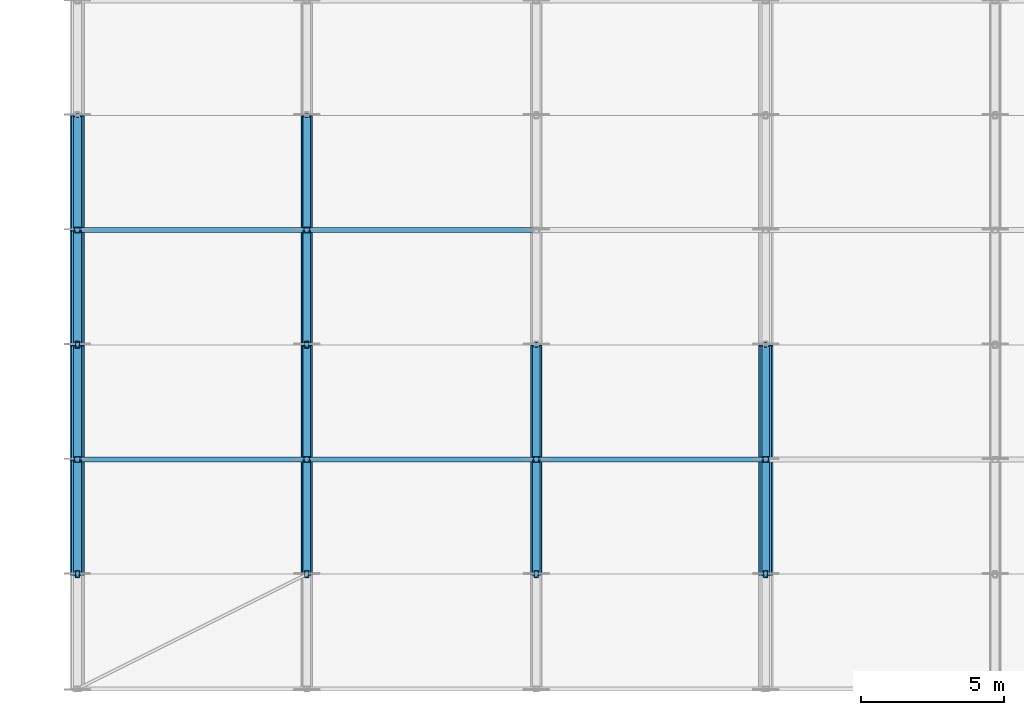
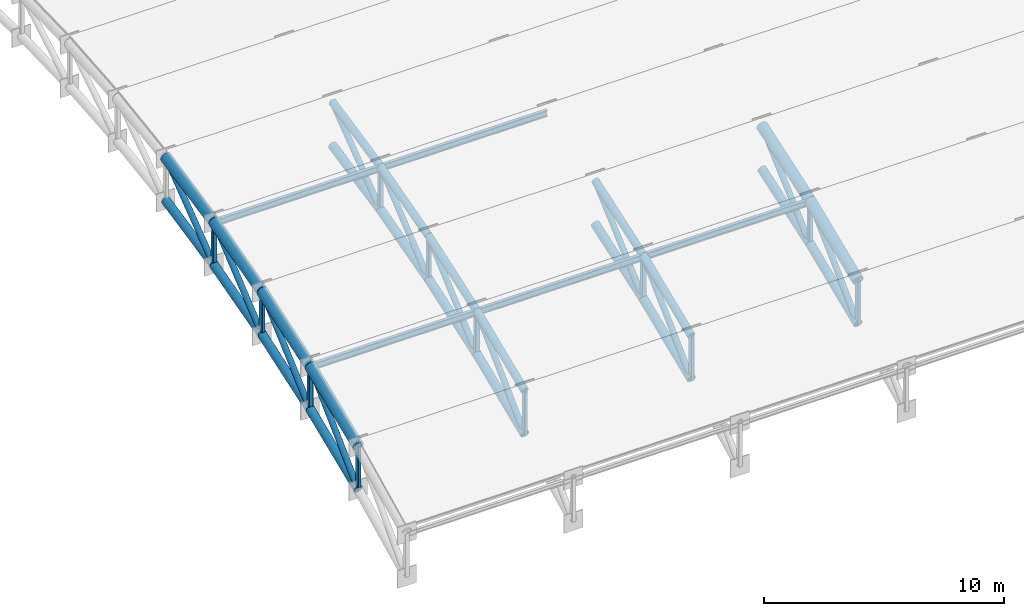
# One storey, part 7 of 98: 53 members.
"""IFC4 building model written with IfcOpenShell, lengths in metres."""

from ifc_helpers import new_model, si_unit, direction, frame, origin, origin_2d, place, context, subcontext, project, spatial, hollow_rectangle, hollow_circle, i_section, extrude, material, material_profile, profile_set, type_object, element, save


model = new_model("IFC4")

# Units and contexts
model_context = context("Model", 3, precision=1e-05, world=origin(), true_north=direction((0.0, 1.0)))
body_context = subcontext(model_context, "Body", "Model", "MODEL_VIEW")
ifc_project = project(units=[si_unit("LENGTHUNIT", "METRE"), si_unit("AREAUNIT", "SQUARE_METRE"), si_unit("VOLUMEUNIT", "CUBIC_METRE"), si_unit("PLANEANGLEUNIT", "RADIAN"), si_unit("MASSUNIT", "GRAM", prefix="KILO")], contexts=[model_context])

# Site, building, storey
site_placement = place(None, origin())
site = spatial("IfcSite", under=ifc_project, at=site_placement, CompositionType="ELEMENT")
building_placement = place(site_placement, origin())
building = spatial("IfcBuilding", under=site, at=building_placement, Name="Tlacozan Convention Centre", CompositionType="ELEMENT")
storey_placement = place(building_placement, frame((0.0, 0.0, 25.800048828125)))
storey = spatial("IfcBuildingStorey", under=building, at=storey_placement, Name="Roof", CompositionType="ELEMENT", Elevation=25.800048828125)

# Members
ifc_material_1 = material(Name="Steel ASTM A500 Grade C", Category="steel")
ifc_material_profile_1 = material_profile(ifc_material_1, hollow_circle(Radius=0.203125, WallThickness=0.015869140625, at=origin_2d()), Name="OC 406.4x15.9")
ifc_profile_set_1 = profile_set([ifc_material_profile_1], Name="Steel ASTM A500 Grade C")
member_type_1 = type_object("IfcMemberType", Name="Arch Bottom Chord OC 406.4x15.9", PredefinedType="CHORD", material=ifc_profile_set_1)
member_1_placement = place(storey_placement, frame((0.0, 66.0, -10.832275390625), z_axis=(0.0, 0.923948802258, 0.382516157575), x_axis=(-1.0, 0.0, 0.0)))
element("IfcMember", 1, at=member_1_placement, inside=storey, type_object=member_type_1, Name="V2A Roof Truss 1 Bottom Chord 2", PredefinedType="CHORD", context=body_context, shape_type="SweptSolid", body=[
    extrude(hollow_circle(Radius=0.203125, WallThickness=0.015869140625, at=origin_2d()), origin(), (0.0, 0.0, 1.0), 4.329345703125),
])
member_2_placement = place(storey_placement, frame((0.0, 70.0, -9.17626953125), z_axis=(0.0, 0.946164915813, 0.323684958077), x_axis=(-1.0, 0.0, 0.0)))
element("IfcMember", 2, at=member_2_placement, inside=storey, type_object=member_type_1, Name="V2A Roof Truss 1 Bottom Chord 3", PredefinedType="CHORD", context=body_context, shape_type="SweptSolid", body=[
    extrude(hollow_circle(Radius=0.203125, WallThickness=0.015869140625, at=origin_2d()), origin(), (0.0, 0.0, 1.0), 4.2275390625),
])
member_3_placement = place(storey_placement, frame((0.0, 74.0, -7.807861328125), z_axis=(0.0, 0.964289609145, 0.26485005134), x_axis=(-1.0, 0.0, 0.0)))
element("IfcMember", 3, at=member_3_placement, inside=storey, type_object=member_type_1, Name="V2A Roof Truss 1 Bottom Chord 4", PredefinedType="CHORD", context=body_context, shape_type="SweptSolid", body=[
    extrude(hollow_circle(Radius=0.203125, WallThickness=0.015869140625, at=origin_2d()), origin(), (0.0, 0.0, 1.0), 4.148193359375),
])
member_4_placement = place(storey_placement, frame((0.0, 78.0, -6.709228515625), z_axis=(0.0, 0.978552953366, 0.205995430674), x_axis=(-1.0, 0.0, 0.0)))
element("IfcMember", 4, at=member_4_placement, inside=storey, type_object=member_type_1, Name="V2A Roof Truss 1 Bottom Chord 5", PredefinedType="CHORD", context=body_context, shape_type="SweptSolid", body=[
    extrude(hollow_circle(Radius=0.203125, WallThickness=0.015869140625, at=origin_2d()), origin(), (0.0, 0.0, 1.0), 4.087646484375),
])
member_5_placement = place(storey_placement, frame((8.0, 66.0, -10.832275390625), z_axis=(0.0, 0.923948802258, 0.382516157575), x_axis=(-1.0, 0.0, 0.0)))
element("IfcMember", 5, at=member_5_placement, inside=storey, type_object=member_type_1, Name="V2A Roof Truss 2 Bottom Chord 2", PredefinedType="CHORD", context=body_context, shape_type="SweptSolid", body=[
    extrude(hollow_circle(Radius=0.203125, WallThickness=0.015869140625, at=origin_2d()), origin(), (0.0, 0.0, 1.0), 4.329345703125),
])
member_6_placement = place(storey_placement, frame((8.0, 70.0, -9.17626953125), z_axis=(0.0, 0.946164915813, 0.323684958077), x_axis=(-1.0, 0.0, 0.0)))
element("IfcMember", 6, at=member_6_placement, inside=storey, type_object=member_type_1, Name="V2A Roof Truss 2 Bottom Chord 3", PredefinedType="CHORD", context=body_context, shape_type="SweptSolid", body=[
    extrude(hollow_circle(Radius=0.203125, WallThickness=0.015869140625, at=origin_2d()), origin(), (0.0, 0.0, 1.0), 4.2275390625),
])
member_7_placement = place(storey_placement, frame((8.0, 74.0, -7.807861328125), z_axis=(0.0, 0.964289609145, 0.26485005134), x_axis=(-1.0, 0.0, 0.0)))
element("IfcMember", 7, at=member_7_placement, inside=storey, type_object=member_type_1, Name="V2A Roof Truss 2 Bottom Chord 4", PredefinedType="CHORD", context=body_context, shape_type="SweptSolid", body=[
    extrude(hollow_circle(Radius=0.203125, WallThickness=0.015869140625, at=origin_2d()), origin(), (0.0, 0.0, 1.0), 4.148193359375),
])
member_8_placement = place(storey_placement, frame((8.0, 78.0, -6.709228515625), z_axis=(0.0, 0.978552953366, 0.205995430674), x_axis=(-1.0, 0.0, 0.0)))
element("IfcMember", 8, at=member_8_placement, inside=storey, type_object=member_type_1, Name="V2A Roof Truss 2 Bottom Chord 5", PredefinedType="CHORD", context=body_context, shape_type="SweptSolid", body=[
    extrude(hollow_circle(Radius=0.203125, WallThickness=0.015869140625, at=origin_2d()), origin(), (0.0, 0.0, 1.0), 4.087646484375),
])
member_9_placement = place(storey_placement, frame((16.0, 66.0, -10.832275390625), z_axis=(0.0, 0.923948802258, 0.382516157575), x_axis=(-1.0, 0.0, 0.0)))
element("IfcMember", 9, at=member_9_placement, inside=storey, type_object=member_type_1, Name="V2A Roof Truss 3 Bottom Chord 2", PredefinedType="CHORD", context=body_context, shape_type="SweptSolid", body=[
    extrude(hollow_circle(Radius=0.203125, WallThickness=0.015869140625, at=origin_2d()), origin(), (0.0, 0.0, 1.0), 4.329345703125),
])
member_10_placement = place(storey_placement, frame((16.0, 70.0, -9.17626953125), z_axis=(0.0, 0.946164915813, 0.323684958077), x_axis=(-1.0, 0.0, 0.0)))
element("IfcMember", 10, at=member_10_placement, inside=storey, type_object=member_type_1, Name="V2A Roof Truss 3 Bottom Chord 3", PredefinedType="CHORD", context=body_context, shape_type="SweptSolid", body=[
    extrude(hollow_circle(Radius=0.203125, WallThickness=0.015869140625, at=origin_2d()), origin(), (0.0, 0.0, 1.0), 4.2275390625),
])
member_11_placement = place(storey_placement, frame((24.0, 66.0, -10.832275390625), z_axis=(0.0, 0.923948802258, 0.382516157575), x_axis=(-1.0, 0.0, 0.0)))
element("IfcMember", 11, at=member_11_placement, inside=storey, type_object=member_type_1, Name="V2A Roof Truss 4 Bottom Chord 2", PredefinedType="CHORD", context=body_context, shape_type="SweptSolid", body=[
    extrude(hollow_circle(Radius=0.203125, WallThickness=0.015869140625, at=origin_2d()), origin(), (0.0, 0.0, 1.0), 4.329345703125),
])
member_12_placement = place(storey_placement, frame((24.0, 70.0, -9.17626953125), z_axis=(0.0, 0.946164915813, 0.323684958077), x_axis=(-1.0, 0.0, 0.0)))
element("IfcMember", 12, at=member_12_placement, inside=storey, type_object=member_type_1, Name="V2A Roof Truss 4 Bottom Chord 3", PredefinedType="CHORD", context=body_context, shape_type="SweptSolid", body=[
    extrude(hollow_circle(Radius=0.203125, WallThickness=0.015869140625, at=origin_2d()), origin(), (0.0, 0.0, 1.0), 4.2275390625),
])
ifc_material_profile_2 = material_profile(ifc_material_1, hollow_circle(Radius=0.25390625, WallThickness=0.01904296875, at=origin_2d()), Name="OC 508.0x19.1")
ifc_profile_set_2 = profile_set([ifc_material_profile_2], Name="Steel ASTM A500 Grade C")
member_type_2 = type_object("IfcMemberType", Name="Arch Top Chord OC 508x19.1", PredefinedType="CHORD", material=ifc_profile_set_2)
member_13_placement = place(storey_placement, frame((0.0, 66.0, -8.63232421875), z_axis=(0.0, 0.923928870591, 0.382564297979), x_axis=(-1.0, 0.0, 0.0)))
element("IfcMember", 13, at=member_13_placement, inside=storey, type_object=member_type_2, Name="V2A Roof Truss 1 Top Chord 2", PredefinedType="CHORD", context=body_context, shape_type="SweptSolid", body=[
    extrude(hollow_circle(Radius=0.25390625, WallThickness=0.01904296875, at=origin_2d()), origin(), (0.0, 0.0, 1.0), 4.329345703125),
])
member_14_placement = place(storey_placement, frame((0.0, 70.0, -6.97607421875), z_axis=(0.0, 0.946164915813, 0.323684958077), x_axis=(-1.0, 0.0, 0.0)))
element("IfcMember", 14, at=member_14_placement, inside=storey, type_object=member_type_2, Name="V2A Roof Truss 1 Top Chord 3", PredefinedType="CHORD", context=body_context, shape_type="SweptSolid", body=[
    extrude(hollow_circle(Radius=0.25390625, WallThickness=0.01904296875, at=origin_2d()), origin(), (0.0, 0.0, 1.0), 4.2275390625),
])
member_15_placement = place(storey_placement, frame((0.0, 74.0, -5.607666015625), z_axis=(0.0, 0.964304639076, 0.264795322949), x_axis=(-1.0, 0.0, 0.0)))
element("IfcMember", 15, at=member_15_placement, inside=storey, type_object=member_type_2, Name="V2A Roof Truss 1 Top Chord 4", PredefinedType="CHORD", context=body_context, shape_type="SweptSolid", body=[
    extrude(hollow_circle(Radius=0.25390625, WallThickness=0.01904296875, at=origin_2d()), origin(), (0.0, 0.0, 1.0), 4.14794921875),
])
member_16_placement = place(storey_placement, frame((0.0, 78.0, -4.50927734375), z_axis=(0.0, 0.978552953366, 0.205995430674), x_axis=(-1.0, 0.0, 0.0)))
element("IfcMember", 16, at=member_16_placement, inside=storey, type_object=member_type_2, Name="V2A Roof Truss 1 Top Chord 5", PredefinedType="CHORD", context=body_context, shape_type="SweptSolid", body=[
    extrude(hollow_circle(Radius=0.25390625, WallThickness=0.01904296875, at=origin_2d()), origin(), (0.0, 0.0, 1.0), 4.087646484375),
])
member_17_placement = place(storey_placement, frame((24.0, 66.0, -8.63232421875), z_axis=(0.0, 0.923928870591, 0.382564297979), x_axis=(-1.0, 0.0, 0.0)))
element("IfcMember", 17, at=member_17_placement, inside=storey, type_object=member_type_2, Name="V2A Roof Truss 4 Top Chord 2", PredefinedType="CHORD", context=body_context, shape_type="SweptSolid", body=[
    extrude(hollow_circle(Radius=0.25390625, WallThickness=0.01904296875, at=origin_2d()), origin(), (0.0, 0.0, 1.0), 4.329345703125),
])
member_18_placement = place(storey_placement, frame((24.0, 70.0, -6.97607421875), z_axis=(0.0, 0.946164915813, 0.323684958077), x_axis=(-1.0, 0.0, 0.0)))
element("IfcMember", 18, at=member_18_placement, inside=storey, type_object=member_type_2, Name="V2A Roof Truss 4 Top Chord 3", PredefinedType="CHORD", context=body_context, shape_type="SweptSolid", body=[
    extrude(hollow_circle(Radius=0.25390625, WallThickness=0.01904296875, at=origin_2d()), origin(), (0.0, 0.0, 1.0), 4.2275390625),
])
ifc_material_profile_3 = material_profile(ifc_material_1, hollow_circle(Radius=0.136474609375, WallThickness=0.0126953125, at=origin_2d()), Name="OC 273.1x12.7")
ifc_profile_set_3 = profile_set([ifc_material_profile_3], Name="Steel ASTM A500 Grade C")
member_type_3 = type_object("IfcMemberType", Name="Arch Web Diagonal OC 273.1x12.7", PredefinedType="BRACE", material=ifc_profile_set_3)
member_19_placement = place(storey_placement, frame((0.0, 66.0, -10.832275390625), z_axis=(0.0, 0.719928977367, 0.694047741547), x_axis=(-1.0, 0.0, 0.0)))
element("IfcMember", 19, at=member_19_placement, inside=storey, type_object=member_type_3, Name="V2A Roof Truss 1 Web Diagonal 2", PredefinedType="BRACE", context=body_context, shape_type="SweptSolid", body=[
    extrude(hollow_circle(Radius=0.136474609375, WallThickness=0.0126953125, at=origin_2d()), origin(), (0.0, 0.0, 1.0), 5.55615234375),
])
member_20_placement = place(storey_placement, frame((0.0, 70.0, -9.17626953125), z_axis=(0.0, 0.746199427712, 0.665722475272), x_axis=(-1.0, 0.0, 0.0)))
element("IfcMember", 20, at=member_20_placement, inside=storey, type_object=member_type_3, Name="V2A Roof Truss 1 Web Diagonal 3", PredefinedType="BRACE", context=body_context, shape_type="SweptSolid", body=[
    extrude(hollow_circle(Radius=0.136474609375, WallThickness=0.0126953125, at=origin_2d()), origin(), (0.0, 0.0, 1.0), 5.360595703125),
])
member_21_placement = place(storey_placement, frame((0.0, 74.0, -7.807861328125), z_axis=(0.0, 0.771507331308, 0.63622043172), x_axis=(-1.0, 0.0, 0.0)))
element("IfcMember", 21, at=member_21_placement, inside=storey, type_object=member_type_3, Name="V2A Roof Truss 1 Web Diagonal 4", PredefinedType="BRACE", context=body_context, shape_type="SweptSolid", body=[
    extrude(hollow_circle(Radius=0.136474609375, WallThickness=0.0126953125, at=origin_2d()), origin(), (0.0, 0.0, 1.0), 5.1845703125),
])
member_22_placement = place(storey_placement, frame((0.0, 78.0, -6.709228515625), z_axis=(0.0, 0.795971176065, 0.605334524766), x_axis=(-1.0, 0.0, 0.0)))
element("IfcMember", 22, at=member_22_placement, inside=storey, type_object=member_type_3, Name="V2A Roof Truss 1 Web Diagonal 5", PredefinedType="BRACE", context=body_context, shape_type="SweptSolid", body=[
    extrude(hollow_circle(Radius=0.136474609375, WallThickness=0.0126953125, at=origin_2d()), origin(), (0.0, 0.0, 1.0), 5.025390625),
])
member_23_placement = place(storey_placement, frame((8.0, 66.0, -10.832275390625), z_axis=(0.0, 0.719928977367, 0.694047741547), x_axis=(-1.0, 0.0, 0.0)))
element("IfcMember", 23, at=member_23_placement, inside=storey, type_object=member_type_3, Name="V2A Roof Truss 2 Web Diagonal 2", PredefinedType="BRACE", context=body_context, shape_type="SweptSolid", body=[
    extrude(hollow_circle(Radius=0.136474609375, WallThickness=0.0126953125, at=origin_2d()), origin(), (0.0, 0.0, 1.0), 5.55615234375),
])
member_24_placement = place(storey_placement, frame((8.0, 70.0, -9.17626953125), z_axis=(0.0, 0.746199427712, 0.665722475272), x_axis=(-1.0, 0.0, 0.0)))
element("IfcMember", 24, at=member_24_placement, inside=storey, type_object=member_type_3, Name="V2A Roof Truss 2 Web Diagonal 3", PredefinedType="BRACE", context=body_context, shape_type="SweptSolid", body=[
    extrude(hollow_circle(Radius=0.136474609375, WallThickness=0.0126953125, at=origin_2d()), origin(), (0.0, 0.0, 1.0), 5.360595703125),
])
member_25_placement = place(storey_placement, frame((8.0, 74.0, -7.807861328125), z_axis=(0.0, 0.771507331308, 0.63622043172), x_axis=(-1.0, 0.0, 0.0)))
element("IfcMember", 25, at=member_25_placement, inside=storey, type_object=member_type_3, Name="V2A Roof Truss 2 Web Diagonal 4", PredefinedType="BRACE", context=body_context, shape_type="SweptSolid", body=[
    extrude(hollow_circle(Radius=0.136474609375, WallThickness=0.0126953125, at=origin_2d()), origin(), (0.0, 0.0, 1.0), 5.1845703125),
])
member_26_placement = place(storey_placement, frame((8.0, 78.0, -6.709228515625), z_axis=(0.0, 0.795971176065, 0.605334524766), x_axis=(-1.0, 0.0, 0.0)))
element("IfcMember", 26, at=member_26_placement, inside=storey, type_object=member_type_3, Name="V2A Roof Truss 2 Web Diagonal 5", PredefinedType="BRACE", context=body_context, shape_type="SweptSolid", body=[
    extrude(hollow_circle(Radius=0.136474609375, WallThickness=0.0126953125, at=origin_2d()), origin(), (0.0, 0.0, 1.0), 5.025390625),
])
member_27_placement = place(storey_placement, frame((16.0, 66.0, -10.832275390625), z_axis=(0.0, 0.719928977367, 0.694047741547), x_axis=(-1.0, 0.0, 0.0)))
element("IfcMember", 27, at=member_27_placement, inside=storey, type_object=member_type_3, Name="V2A Roof Truss 3 Web Diagonal 2", PredefinedType="BRACE", context=body_context, shape_type="SweptSolid", body=[
    extrude(hollow_circle(Radius=0.136474609375, WallThickness=0.0126953125, at=origin_2d()), origin(), (0.0, 0.0, 1.0), 5.55615234375),
])
member_28_placement = place(storey_placement, frame((16.0, 70.0, -9.17626953125), z_axis=(0.0, 0.746199427712, 0.665722475272), x_axis=(-1.0, 0.0, 0.0)))
element("IfcMember", 28, at=member_28_placement, inside=storey, type_object=member_type_3, Name="V2A Roof Truss 3 Web Diagonal 3", PredefinedType="BRACE", context=body_context, shape_type="SweptSolid", body=[
    extrude(hollow_circle(Radius=0.136474609375, WallThickness=0.0126953125, at=origin_2d()), origin(), (0.0, 0.0, 1.0), 5.360595703125),
])
member_29_placement = place(storey_placement, frame((24.0, 66.0, -10.832275390625), z_axis=(0.0, 0.719928977367, 0.694047741547), x_axis=(-1.0, 0.0, 0.0)))
element("IfcMember", 29, at=member_29_placement, inside=storey, type_object=member_type_3, Name="V2A Roof Truss 4 Web Diagonal 2", PredefinedType="BRACE", context=body_context, shape_type="SweptSolid", body=[
    extrude(hollow_circle(Radius=0.136474609375, WallThickness=0.0126953125, at=origin_2d()), origin(), (0.0, 0.0, 1.0), 5.55615234375),
])
member_30_placement = place(storey_placement, frame((24.0, 70.0, -9.17626953125), z_axis=(0.0, 0.746199427712, 0.665722475272), x_axis=(-1.0, 0.0, 0.0)))
element("IfcMember", 30, at=member_30_placement, inside=storey, type_object=member_type_3, Name="V2A Roof Truss 4 Web Diagonal 3", PredefinedType="BRACE", context=body_context, shape_type="SweptSolid", body=[
    extrude(hollow_circle(Radius=0.136474609375, WallThickness=0.0126953125, at=origin_2d()), origin(), (0.0, 0.0, 1.0), 5.360595703125),
])
ifc_material_profile_4 = material_profile(ifc_material_1, hollow_rectangle(XDim=0.203125, YDim=0.203125, WallThickness=0.0126953125, InnerFilletRadius=0.0126953125, OuterFilletRadius=0.02490234375, at=origin_2d()), Name="OR 203x203x12.7")
ifc_profile_set_4 = profile_set([ifc_material_profile_4], Name="Steel ASTM A500 Grade C")
member_type_4 = type_object("IfcMemberType", Name="Arch Web Strut OR 203x203x12.7", PredefinedType="STRUT", material=ifc_profile_set_4)
member_31_placement = place(storey_placement, frame((0.0, 70.0, -9.17626953125), z_axis=(0.0, 0.0, 1.0), x_axis=(1.0, 0.0, 0.0)))
element("IfcMember", 31, at=member_31_placement, inside=storey, type_object=member_type_4, Name="V2A Roof Truss 1 Vertical Strut 3", PredefinedType="STRUT", context=body_context, shape_type="SweptSolid", body=[
    extrude(hollow_rectangle(XDim=0.203125, YDim=0.203125, WallThickness=0.0126953125, InnerFilletRadius=0.0126953125, OuterFilletRadius=0.02490234375, at=origin_2d()), origin(), (0.0, 0.0, 1.0), 2.2001953125),
])
member_32_placement = place(storey_placement, frame((0.0, 78.0, -6.709228515625), z_axis=(0.0, 0.0, 1.0), x_axis=(1.0, 0.0, 0.0)))
element("IfcMember", 32, at=member_32_placement, inside=storey, type_object=member_type_4, Name="V2A Roof Truss 1 Vertical Strut 5", PredefinedType="STRUT", context=body_context, shape_type="SweptSolid", body=[
    extrude(hollow_rectangle(XDim=0.203125, YDim=0.203125, WallThickness=0.0126953125, InnerFilletRadius=0.0126953125, OuterFilletRadius=0.02490234375, at=origin_2d()), origin(), (0.0, 0.0, 1.0), 2.199951171875),
])
member_33_placement = place(storey_placement, frame((8.0, 70.0, -9.17626953125), z_axis=(0.0, 0.0, 1.0), x_axis=(1.0, 0.0, 0.0)))
element("IfcMember", 33, at=member_33_placement, inside=storey, type_object=member_type_4, Name="V2A Roof Truss 2 Vertical Strut 3", PredefinedType="STRUT", context=body_context, shape_type="SweptSolid", body=[
    extrude(hollow_rectangle(XDim=0.203125, YDim=0.203125, WallThickness=0.0126953125, InnerFilletRadius=0.0126953125, OuterFilletRadius=0.02490234375, at=origin_2d()), origin(), (0.0, 0.0, 1.0), 2.2001953125),
])
member_34_placement = place(storey_placement, frame((8.0, 78.0, -6.709228515625), z_axis=(0.0, 0.0, 1.0), x_axis=(1.0, 0.0, 0.0)))
element("IfcMember", 34, at=member_34_placement, inside=storey, type_object=member_type_4, Name="V2A Roof Truss 2 Vertical Strut 5", PredefinedType="STRUT", context=body_context, shape_type="SweptSolid", body=[
    extrude(hollow_rectangle(XDim=0.203125, YDim=0.203125, WallThickness=0.0126953125, InnerFilletRadius=0.0126953125, OuterFilletRadius=0.02490234375, at=origin_2d()), origin(), (0.0, 0.0, 1.0), 2.199951171875),
])
for number, where, z_axis, x_axis, name in (
    (35, (16.0, 70.0, -9.17626953125), (0.0, 0.0, 1.0), (1.0, 0.0, 0.0), "V2A Roof Truss 3 Vertical Strut 3"),
    (36, (24.0, 70.0, -9.17626953125), (0.0, 0.0, 1.0), (1.0, 0.0, 0.0), "V2A Roof Truss 4 Vertical Strut 3"),
):
    element("IfcMember", number, at=place(storey_placement, frame(where, z_axis=z_axis, x_axis=x_axis)), inside=storey, type_object=member_type_4, Name=name, PredefinedType="STRUT", context=body_context, shape_type="SweptSolid", body=[
        extrude(hollow_rectangle(XDim=0.203125, YDim=0.203125, WallThickness=0.0126953125, InnerFilletRadius=0.0126953125, OuterFilletRadius=0.02490234375, at=origin_2d()), origin(), (0.0, 0.0, 1.0), 2.2001953125),
    ])
ifc_material_2 = material(Name="Steel ASTM A992 Grade 50", Category="steel")
ifc_material_profile_5 = material_profile(ifc_material_2, i_section(OverallWidth=0.1669921875, OverallDepth=0.31689453125, WebThickness=0.007568359375, FlangeThickness=0.01318359375, FilletRadius=0.010009765625, at=origin_2d()), Name="IR 305x52.2")
ifc_profile_set_5 = profile_set([ifc_material_profile_5], Name="Steel ASTM A992 Grade 50")
member_type_5 = type_object("IfcMemberType", Name="Roof Purlin IR 305x52.2", PredefinedType="PURLIN", material=ifc_profile_set_5)
for number, where, z_axis, x_axis, name in (
    (37, (0.0, 70.0, -7.041259765625), (1.0, 0.0, 0.0), (0.0, 1.0, 0.0), "V2A Roof Truss Purlin 1.3"),
    (38, (0.0, 78.0, -4.57421875), (1.0, 0.0, 0.0), (0.0, 1.0, 0.0), "V2A Roof Truss Purlin 1.5"),
    (39, (8.0, 70.0, -7.041259765625), (1.0, 0.0, 0.0), (0.0, 1.0, 0.0), "V2A Roof Truss Purlin 2.3"),
    (40, (8.0, 78.0, -4.57421875), (1.0, 0.0, 0.0), (0.0, 1.0, 0.0), "V2A Roof Truss Purlin 2.5"),
    (41, (16.0, 70.0, -7.041259765625), (1.0, 0.0, 0.0), (0.0, 1.0, 0.0), "V2A Roof Truss Purlin 3.3"),
):
    element("IfcMember", number, at=place(storey_placement, frame(where, z_axis=z_axis, x_axis=x_axis)), inside=storey, type_object=member_type_5, Name=name, PredefinedType="PURLIN", context=body_context, shape_type="SweptSolid", body=[
        extrude(i_section(OverallWidth=0.1669921875, OverallDepth=0.31689453125, WebThickness=0.007568359375, FlangeThickness=0.01318359375, FilletRadius=0.010009765625, at=origin_2d()), origin(), (0.0, 0.0, 1.0), 8.0),
    ])
ifc_material_profile_6 = material_profile(ifc_material_1, hollow_circle(Radius=0.177734375, WallThickness=0.015869140625, at=origin_2d()), Name="OC 355.6x15.9")
ifc_profile_set_6 = profile_set([ifc_material_profile_6], Name="Steel ASTM A500 Grade C")
member_type_6 = type_object("IfcMemberType", Name="Secondary Arch Chord OC 355.6x15.9", PredefinedType="CHORD", material=ifc_profile_set_6)
member_35_placement = place(storey_placement, frame((8.0, 66.0, -8.63232421875), z_axis=(0.0, 0.923928870591, 0.382564297979), x_axis=(-1.0, 0.0, 0.0)))
element("IfcMember", 42, at=member_35_placement, inside=storey, type_object=member_type_6, Name="V2A Roof Truss 2 Top Chord 2", PredefinedType="CHORD", context=body_context, shape_type="SweptSolid", body=[
    extrude(hollow_circle(Radius=0.177734375, WallThickness=0.015869140625, at=origin_2d()), origin(), (0.0, 0.0, 1.0), 4.329345703125),
])
member_36_placement = place(storey_placement, frame((8.0, 70.0, -6.97607421875), z_axis=(0.0, 0.946164915813, 0.323684958077), x_axis=(-1.0, 0.0, 0.0)))
element("IfcMember", 43, at=member_36_placement, inside=storey, type_object=member_type_6, Name="V2A Roof Truss 2 Top Chord 3", PredefinedType="CHORD", context=body_context, shape_type="SweptSolid", body=[
    extrude(hollow_circle(Radius=0.177734375, WallThickness=0.015869140625, at=origin_2d()), origin(), (0.0, 0.0, 1.0), 4.2275390625),
])
member_37_placement = place(storey_placement, frame((8.0, 74.0, -5.607666015625), z_axis=(0.0, 0.964304639076, 0.264795322949), x_axis=(-1.0, 0.0, 0.0)))
element("IfcMember", 44, at=member_37_placement, inside=storey, type_object=member_type_6, Name="V2A Roof Truss 2 Top Chord 4", PredefinedType="CHORD", context=body_context, shape_type="SweptSolid", body=[
    extrude(hollow_circle(Radius=0.177734375, WallThickness=0.015869140625, at=origin_2d()), origin(), (0.0, 0.0, 1.0), 4.14794921875),
])
member_38_placement = place(storey_placement, frame((8.0, 78.0, -4.50927734375), z_axis=(0.0, 0.978552953366, 0.205995430674), x_axis=(-1.0, 0.0, 0.0)))
element("IfcMember", 45, at=member_38_placement, inside=storey, type_object=member_type_6, Name="V2A Roof Truss 2 Top Chord 5", PredefinedType="CHORD", context=body_context, shape_type="SweptSolid", body=[
    extrude(hollow_circle(Radius=0.177734375, WallThickness=0.015869140625, at=origin_2d()), origin(), (0.0, 0.0, 1.0), 4.087646484375),
])
member_39_placement = place(storey_placement, frame((16.0, 66.0, -8.63232421875), z_axis=(0.0, 0.923928870591, 0.382564297979), x_axis=(-1.0, 0.0, 0.0)))
element("IfcMember", 46, at=member_39_placement, inside=storey, type_object=member_type_6, Name="V2A Roof Truss 3 Top Chord 2", PredefinedType="CHORD", context=body_context, shape_type="SweptSolid", body=[
    extrude(hollow_circle(Radius=0.177734375, WallThickness=0.015869140625, at=origin_2d()), origin(), (0.0, 0.0, 1.0), 4.329345703125),
])
member_40_placement = place(storey_placement, frame((16.0, 70.0, -6.97607421875), z_axis=(0.0, 0.946164915813, 0.323684958077), x_axis=(-1.0, 0.0, 0.0)))
element("IfcMember", 47, at=member_40_placement, inside=storey, type_object=member_type_6, Name="V2A Roof Truss 3 Top Chord 3", PredefinedType="CHORD", context=body_context, shape_type="SweptSolid", body=[
    extrude(hollow_circle(Radius=0.177734375, WallThickness=0.015869140625, at=origin_2d()), origin(), (0.0, 0.0, 1.0), 4.2275390625),
])
ifc_material_profile_7 = material_profile(ifc_material_1, hollow_rectangle(XDim=0.15234375, YDim=0.25390625, WallThickness=0.0126953125, InnerFilletRadius=0.0126953125, OuterFilletRadius=0.02490234375, at=origin_2d()), Name="OR 254x152x12.7")
ifc_profile_set_7 = profile_set([ifc_material_profile_7], Name="Steel ASTM A500 Grade C")
member_type_7 = type_object("IfcMemberType", Name="Truss Secondary Strut OR 254x152x12.7", PredefinedType="STRUT", material=ifc_profile_set_7)
member_41_placement = place(storey_placement, frame((0.0, 66.0, -10.832275390625), z_axis=(0.0, 0.0, 1.0), x_axis=(1.0, 0.0, 0.0)))
element("IfcMember", 48, at=member_41_placement, inside=storey, type_object=member_type_7, Name="V2A Roof Truss 1 Vertical Strut 2", PredefinedType="STRUT", context=body_context, shape_type="SweptSolid", body=[
    extrude(hollow_rectangle(XDim=0.15234375, YDim=0.25390625, WallThickness=0.0126953125, InnerFilletRadius=0.0126953125, OuterFilletRadius=0.02490234375, at=origin_2d()), origin(), (0.0, 0.0, 1.0), 2.199951171875),
])
member_42_placement = place(storey_placement, frame((0.0, 74.0, -7.807861328125), z_axis=(0.0, 0.0, 1.0), x_axis=(1.0, 0.0, 0.0)))
element("IfcMember", 49, at=member_42_placement, inside=storey, type_object=member_type_7, Name="V2A Roof Truss 1 Vertical Strut 4", PredefinedType="STRUT", context=body_context, shape_type="SweptSolid", body=[
    extrude(hollow_rectangle(XDim=0.15234375, YDim=0.25390625, WallThickness=0.0126953125, InnerFilletRadius=0.0126953125, OuterFilletRadius=0.02490234375, at=origin_2d()), origin(), (0.0, 0.0, 1.0), 2.2001953125),
])
member_43_placement = place(storey_placement, frame((8.0, 66.0, -10.832275390625), z_axis=(0.0, 0.0, 1.0), x_axis=(1.0, 0.0, 0.0)))
element("IfcMember", 50, at=member_43_placement, inside=storey, type_object=member_type_7, Name="V2A Roof Truss 2 Vertical Strut 2", PredefinedType="STRUT", context=body_context, shape_type="SweptSolid", body=[
    extrude(hollow_rectangle(XDim=0.15234375, YDim=0.25390625, WallThickness=0.0126953125, InnerFilletRadius=0.0126953125, OuterFilletRadius=0.02490234375, at=origin_2d()), origin(), (0.0, 0.0, 1.0), 2.199951171875),
])
member_44_placement = place(storey_placement, frame((8.0, 74.0, -7.807861328125), z_axis=(0.0, 0.0, 1.0), x_axis=(1.0, 0.0, 0.0)))
element("IfcMember", 51, at=member_44_placement, inside=storey, type_object=member_type_7, Name="V2A Roof Truss 2 Vertical Strut 4", PredefinedType="STRUT", context=body_context, shape_type="SweptSolid", body=[
    extrude(hollow_rectangle(XDim=0.15234375, YDim=0.25390625, WallThickness=0.0126953125, InnerFilletRadius=0.0126953125, OuterFilletRadius=0.02490234375, at=origin_2d()), origin(), (0.0, 0.0, 1.0), 2.2001953125),
])
for number, where, z_axis, x_axis, name in (
    (52, (16.0, 66.0, -10.832275390625), (0.0, 0.0, 1.0), (1.0, 0.0, 0.0), "V2A Roof Truss 3 Vertical Strut 2"),
    (53, (24.0, 66.0, -10.832275390625), (0.0, 0.0, 1.0), (1.0, 0.0, 0.0), "V2A Roof Truss 4 Vertical Strut 2"),
):
    element("IfcMember", number, at=place(storey_placement, frame(where, z_axis=z_axis, x_axis=x_axis)), inside=storey, type_object=member_type_7, Name=name, PredefinedType="STRUT", context=body_context, shape_type="SweptSolid", body=[
        extrude(hollow_rectangle(XDim=0.15234375, YDim=0.25390625, WallThickness=0.0126953125, InnerFilletRadius=0.0126953125, OuterFilletRadius=0.02490234375, at=origin_2d()), origin(), (0.0, 0.0, 1.0), 2.199951171875),
    ])

save(model, "model.ifc")
